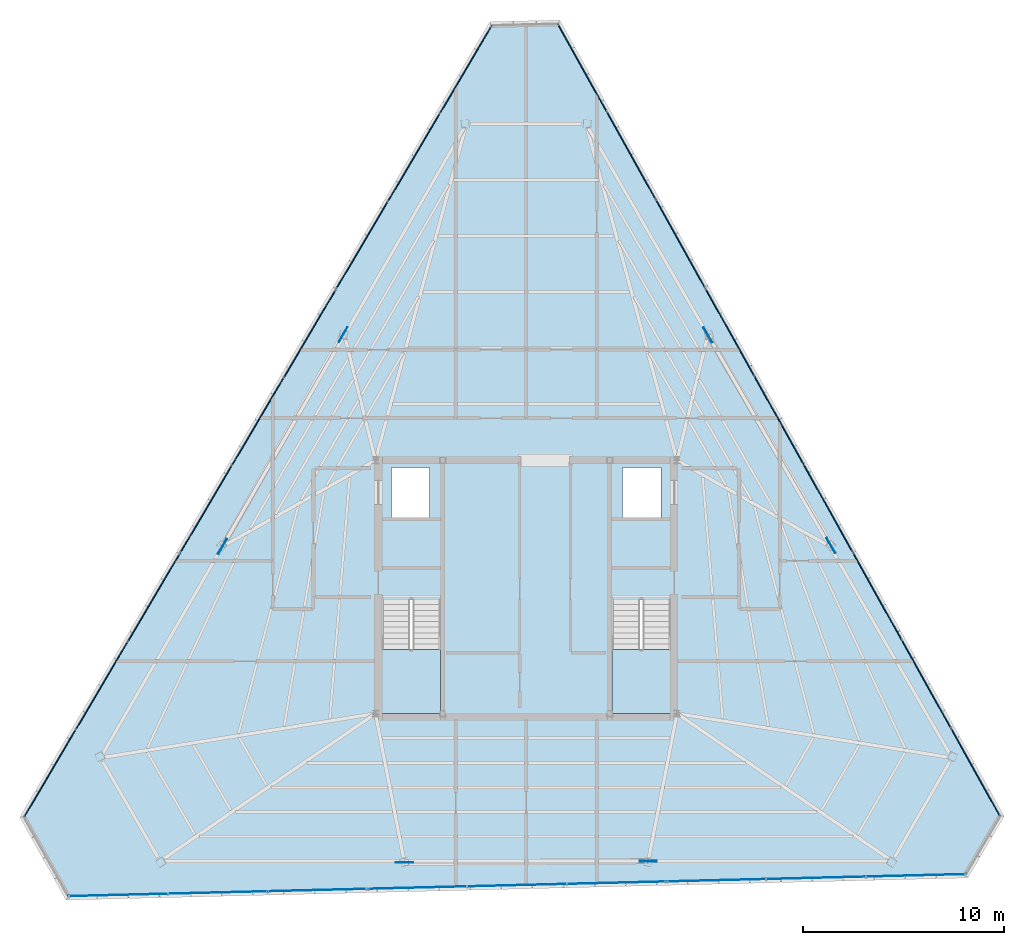
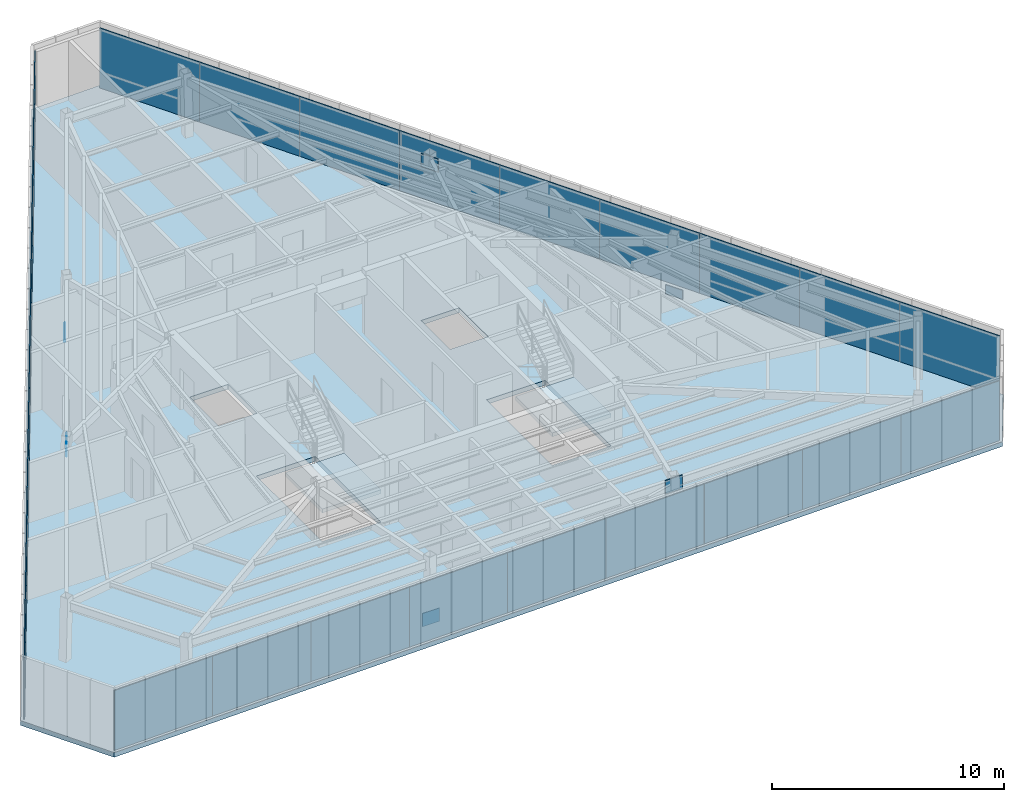
# One storey, part 38 of 44: 33 plates, 3 slabs, 11 elements without a shape of their own.
"""IFC4 building model written with IfcOpenShell, lengths in metres."""

from ifc_helpers import new_model, si_unit, direction, frame, origin, origin_2d, place, context, subcontext, project, spatial, polyline, rectangle, outline, extrude, source, transform, mapped, material, layer, layer_set, type_object, type_shapes, element, aggregate, save


model = new_model("IFC4")

# Units and contexts
model_context = context("Model", 3, precision=1e-05, world=origin(), true_north=direction((0.0, 1.0)))
body_context = subcontext(model_context, "Body", "Model", "MODEL_VIEW")
ifc_project = project(units=[si_unit("LENGTHUNIT", "METRE"), si_unit("AREAUNIT", "SQUARE_METRE"), si_unit("VOLUMEUNIT", "CUBIC_METRE"), si_unit("PLANEANGLEUNIT", "RADIAN"), si_unit("MASSUNIT", "GRAM", prefix="KILO")], contexts=[model_context])

# Site, building, storey
site_placement = place(None, origin())
site = spatial("IfcSite", under=ifc_project, at=site_placement, CompositionType="ELEMENT")
building_placement = place(site_placement, origin())
building = spatial("IfcBuilding", under=site, at=building_placement, Name="Caelisora Broadcast Tower", CompositionType="ELEMENT")
storey_placement = place(building_placement, frame((0.0, 0.0, 289.800048828125)))
storey = spatial("IfcBuildingStorey", under=building, at=storey_placement, Name="L76", CompositionType="ELEMENT", Elevation=289.800048828125)

# Slab
ifc_material_1 = material(Name="Concrete 45 MPa (AS 3600 S45)", Category="concrete")
ifc_layer_1 = layer(ifc_material_1, 0.25, Name="Concrete 45 MPa (AS 3600 S45)")
ifc_layer_set_1 = layer_set([ifc_layer_1], Name="Concrete 45 MPa (AS 3600 S45)")
slab_type_1 = type_object("IfcSlabType", Name="SL05", PredefinedType="FLOOR", material=ifc_layer_set_1)
slab_1_placement = place(storey_placement, frame((0.0, 0.0, -0.25)))
element("IfcSlab", 1, at=slab_1_placement, inside=storey, type_object=slab_type_1, Name="L76 suspended floor SL05", PredefinedType="FLOOR", context=body_context, shape_type="SweptSolid", body=[
    extrude(outline(polyline([(39.65087890625, 51.866943359375), (36.202880859375, 51.781982421875), (12.842041015625, 12.2490234375), (15.126953125, 8.155029296875), (59.947021484375, 9.25390625), (61.743896484375, 12.294921875), (39.65087890625, 51.866943359375)]), holes=[polyline([(30.820068359375, 17.39990234375), (33.739990234375, 17.39990234375), (33.739990234375, 23.080078125), (30.820068359375, 23.080078125), (30.820068359375, 17.39990234375)]), polyline([(42.260009765625, 17.39990234375), (45.179931640625, 17.39990234375), (45.179931640625, 23.080078125), (42.260009765625, 23.080078125), (42.260009765625, 17.39990234375)]), polyline([(42.800048828125, 27.14990234375), (44.699951171875, 27.14990234375), (44.699951171875, 29.64990234375), (42.800048828125, 29.64990234375), (42.800048828125, 27.14990234375)]), polyline([(31.300048828125, 27.14990234375), (33.199951171875, 27.14990234375), (33.199951171875, 29.64990234375), (31.300048828125, 29.64990234375), (31.300048828125, 27.14990234375)])]), origin(), (0.0, 0.0, 1.0), 0.25),
])

# Stair, slab
ifc_material_2 = material(Name="Concrete 40 MPa (AS 3600 N40)", Category="concrete")
stair_type_1 = type_object("IfcStairType", Name="ST-1", PredefinedType="HALF_TURN_STAIR", material=ifc_material_2)
stair_1_placement = place(storey_placement, origin())
stair_1 = element("IfcStair", 2, at=stair_1_placement, inside=storey, type_object=stair_type_1, Name="L76 West Fire-Isolated Tower Stair", PredefinedType="HALF_TURN_STAIR")
ifc_layer_2 = layer(ifc_material_2, 0.199951171875, Name="Concrete 40 MPa (AS 3600 N40)")
ifc_layer_set_2 = layer_set([ifc_layer_2], Name="Concrete 40 MPa (AS 3600 N40)")
slab_type_2 = type_object("IfcSlabType", Name="STL-1", PredefinedType="LANDING", material=ifc_layer_set_2)
slab_2_placement = place(storey_placement, frame((0.0, 0.0, 1.5)))
slab_2 = element("IfcSlab", 3, at=slab_2_placement, type_object=slab_type_2, Name="ST-1 landing 1", PredefinedType="LANDING", context=body_context, shape_type="SweptSolid", body=[
    extrude(outline(polyline([(30.820068359375, 20.580078125), (30.820068359375, 17.39990234375), (33.739990234375, 17.39990234375), (33.739990234375, 20.580078125), (30.820068359375, 20.580078125)])), origin(), (0.0, 0.0, 1.0), 0.199951171875),
])
aggregate(stair_1, [slab_2])

stair_type_2 = type_object("IfcStairType", Name="ST-2", PredefinedType="HALF_TURN_STAIR", material=ifc_material_2)
stair_2_placement = place(storey_placement, origin())
stair_2 = element("IfcStair", 4, at=stair_2_placement, inside=storey, type_object=stair_type_2, Name="L76 East Fire-Isolated Tower Stair", PredefinedType="HALF_TURN_STAIR")
slab_3_placement = place(storey_placement, frame((0.0, 0.0, 1.5)))
slab_3 = element("IfcSlab", 5, at=slab_3_placement, type_object=slab_type_2, Name="ST-2 landing 1", PredefinedType="LANDING", context=body_context, shape_type="SweptSolid", body=[
    extrude(outline(polyline([(42.260009765625, 20.580078125), (42.260009765625, 17.39990234375), (45.179931640625, 17.39990234375), (45.179931640625, 20.580078125), (42.260009765625, 20.580078125)])), origin(), (0.0, 0.0, 1.0), 0.199951171875),
])
aggregate(stair_2, [slab_3])

# Plates
ifc_material_3 = material(Name="Steel Grade 350 L15 (AS/NZS 3678)", Category="steel")
ifc_layer_3 = layer(ifc_material_3, 0.0400390625, Name="Steel Grade 350 L15 (AS/NZS 3678)")
ifc_layer_set_3 = layer_set([ifc_layer_3], Name="Steel Grade 350 L15 (AS/NZS 3678)")
plate_type_1 = type_object("IfcPlateType", Name="GP04", PredefinedType="USERDEFINED", material=ifc_layer_set_3)
shared_shape_1 = source(origin(), body_context, "Body", "SweptSolid", [
    extrude(rectangle(XDim=0.85009765625, YDim=0.0400390625, at=origin_2d()), origin(), (0.0, 0.0, 1.0), 0.699951171875),
])
type_shapes(plate_type_1, [shared_shape_1])
for number, where, z_axis, x_axis, name in (
    (6, (28.897216796875, 36.24658203125, -0.22998046875), (0.0, 0.0, 1.0), (-0.5, -0.866025403784, 0.0), "L76 gusset plate GP04 (ND-L76-C02B)"),
    (7, (22.893310546875, 25.712890625, 2.47998046875), (0.0, 0.0, 1.0), (-0.5, -0.866025403784, 0.0), "L76 gusset plate GP04 (ND-L76-C03T)"),
    (8, (31.9453125, 9.993408203125, -0.22998046875), (0.0, 0.0, 1.0), (1.0, 0.0, 0.0), "L76 gusset plate GP04 (ND-L76-C06B)"),
    (9, (44.06982421875, 10.060791015625, 2.47998046875), (0.0, 0.0, 1.0), (1.0, 0.0, 0.0), "L76 gusset plate GP04 (ND-L76-C07T)"),
    (10, (53.1572265625, 25.760009765625, -0.22998046875), (0.0, 0.0, 1.0), (-0.5, 0.866025403784, 0.0), "L76 gusset plate GP04 (ND-L76-C10B)"),
    (11, (47.036865234375, 36.226318359375, 2.47998046875), (0.0, 0.0, 1.0), (-0.5, 0.866025403784, 0.0), "L76 gusset plate GP04 (ND-L76-C11T)"),
):
    element("IfcPlate", number, at=place(storey_placement, frame(where, z_axis=z_axis, x_axis=x_axis)), inside=storey, type_object=plate_type_1, Name=name, ObjectType="GUSSET PLATE", PredefinedType="USERDEFINED", context=body_context, shape_type="MappedRepresentation", body=[
        mapped(shared_shape_1, transform((0.0, 0.0, 0.0), scale=1.0)),
    ])

# Curtain wall, plates
ifc_material_4 = material(Name="Unitised Aluminium Insulated Shadow-Box Spandrel Curtain Wall", Category="aluminium")
curtain_wall_type = type_object("IfcCurtainWallType", Name="CW-SP3", PredefinedType="NOTDEFINED", material=ifc_material_4)
curtain_wall_1_placement = place(storey_placement, origin())
curtain_wall_1 = element("IfcCurtainWall", 12, at=curtain_wall_1_placement, inside=storey, type_object=curtain_wall_type, Name="L76 curtain wall CW-SP3", PredefinedType="NOTDEFINED")
ifc_material_5 = material(Name="Insulated Terracotta Shadow-Box Spandrel Panel", Category="aluminium")
ifc_layer_4 = layer(ifc_material_5, 0.0439453125, Name="Insulated Terracotta Shadow-Box Spandrel Panel")
ifc_layer_set_4 = layer_set([ifc_layer_4], Name="Insulated Terracotta Shadow-Box Spandrel Panel")
plate_type_2 = type_object("IfcPlateType", Name="CWP-10", PredefinedType="CURTAIN_PANEL", material=ifc_layer_set_4)
shared_shape_2 = source(origin(), body_context, "Body", "SweptSolid", [
    extrude(rectangle(XDim=5.014404296875, YDim=0.0439453125, at=origin_2d()), origin(), (0.0, 0.0, 1.0), 3.14990234375),
])
plate_1_placement = place(storey_placement, frame((40.7861328125, 49.52587890625, 0.0), z_axis=(0.0, 0.0, 1.0), x_axis=(0.487402531354, -0.87317740032, 0.0)))
plate_1 = element("IfcPlate", 13, at=plate_1_placement, type_object=plate_type_2, Name="L76-CW-B01 spandrel panel #1", PredefinedType="CURTAIN_PANEL", context=body_context, shape_type="MappedRepresentation", body=[
    mapped(shared_shape_2, transform((0.0, 0.0, 0.0), scale=1.0)),
])
plate_2_placement = place(storey_placement, frame((43.230712890625, 45.1474609375, 0.0), z_axis=(0.0, 0.0, 1.0), x_axis=(0.487402531354, -0.87317740032, 0.0)))
plate_2 = element("IfcPlate", 14, at=plate_2_placement, type_object=plate_type_2, Name="L76-CW-B01 spandrel panel #2", PredefinedType="CURTAIN_PANEL", context=body_context, shape_type="MappedRepresentation", body=[
    mapped(shared_shape_2, transform((0.0, 0.0, 0.0), scale=1.0)),
])
plate_3_placement = place(storey_placement, frame((45.675048828125, 40.769287109375, 0.0), z_axis=(0.0, 0.0, 1.0), x_axis=(0.487402531354, -0.87317740032, 0.0)))
plate_3 = element("IfcPlate", 15, at=plate_3_placement, type_object=plate_type_2, Name="L76-CW-B01 spandrel panel #3", PredefinedType="CURTAIN_PANEL", context=body_context, shape_type="MappedRepresentation", body=[
    mapped(shared_shape_2, transform((0.0, 0.0, 0.0), scale=1.0)),
])
aggregate(curtain_wall_1, [plate_1, plate_2, plate_3])

curtain_wall_2_placement = place(storey_placement, origin())
curtain_wall_2 = element("IfcCurtainWall", 16, at=curtain_wall_2_placement, inside=storey, type_object=curtain_wall_type, Name="L76 curtain wall CW-SP3", PredefinedType="NOTDEFINED")
plate_4_placement = place(storey_placement, frame((55.4599609375, 23.242919921875, 0.0), z_axis=(0.0, 0.0, 1.0), x_axis=(0.487402531354, -0.87317740032, 0.0)))
plate_4 = element("IfcPlate", 17, at=plate_4_placement, type_object=plate_type_2, Name="L76-CW-B03 spandrel panel #1", PredefinedType="CURTAIN_PANEL", context=body_context, shape_type="MappedRepresentation", body=[
    mapped(shared_shape_2, transform((0.0, 0.0, 0.0), scale=1.0)),
])
plate_5_placement = place(storey_placement, frame((57.904296875, 18.864501953125, 0.0), z_axis=(0.0, 0.0, 1.0), x_axis=(0.487402531354, -0.87317740032, 0.0)))
plate_5 = element("IfcPlate", 18, at=plate_5_placement, type_object=plate_type_2, Name="L76-CW-B03 spandrel panel #2", PredefinedType="CURTAIN_PANEL", context=body_context, shape_type="MappedRepresentation", body=[
    mapped(shared_shape_2, transform((0.0, 0.0, 0.0), scale=1.0)),
])
plate_6_placement = place(storey_placement, frame((60.348876953125, 14.486083984375, 0.0), z_axis=(0.0, 0.0, 1.0), x_axis=(0.487402531354, -0.87317740032, 0.0)))
plate_6 = element("IfcPlate", 19, at=plate_6_placement, type_object=plate_type_2, Name="L76-CW-B03 spandrel panel #3", PredefinedType="CURTAIN_PANEL", context=body_context, shape_type="MappedRepresentation", body=[
    mapped(shared_shape_2, transform((0.0, 0.0, 0.0), scale=1.0)),
])
aggregate(curtain_wall_2, [plate_4, plate_5, plate_6])

curtain_wall_3_placement = place(storey_placement, origin())
curtain_wall_3 = element("IfcCurtainWall", 20, at=curtain_wall_3_placement, inside=storey, type_object=curtain_wall_type, Name="L76 curtain wall CW-SP3", PredefinedType="NOTDEFINED")
shared_shape_3 = source(origin(), body_context, "Body", "SweptSolid", [
    extrude(rectangle(XDim=5.0126953125, YDim=0.0439453125, at=origin_2d()), origin(), (0.0, 0.0, 1.0), 3.14990234375),
])
plate_7_placement = place(storey_placement, frame((48.123779296875, 36.3828125, 0.0), z_axis=(0.0, 0.0, 1.0), x_axis=(0.487402531354, -0.87317740032, 0.0)))
plate_7 = element("IfcPlate", 21, at=plate_7_placement, type_object=plate_type_2, Name="L76-CW-B02 spandrel panel #1", PredefinedType="CURTAIN_PANEL", context=body_context, shape_type="MappedRepresentation", body=[
    mapped(shared_shape_3, transform((0.0, 0.0, 0.0), scale=1.0)),
])
plate_8_placement = place(storey_placement, frame((50.5673828125, 32.006103515625, 0.0), z_axis=(0.0, 0.0, 1.0), x_axis=(0.487402531354, -0.87317740032, 0.0)))
plate_8 = element("IfcPlate", 22, at=plate_8_placement, type_object=plate_type_2, Name="L76-CW-B02 spandrel panel #2", PredefinedType="CURTAIN_PANEL", context=body_context, shape_type="MappedRepresentation", body=[
    mapped(shared_shape_3, transform((0.0, 0.0, 0.0), scale=1.0)),
])
plate_9_placement = place(storey_placement, frame((53.010986328125, 27.629150390625, 0.0), z_axis=(0.0, 0.0, 1.0), x_axis=(0.487402531354, -0.87317740032, 0.0)))
plate_9 = element("IfcPlate", 23, at=plate_9_placement, type_object=plate_type_2, Name="L76-CW-B02 spandrel panel #3", PredefinedType="CURTAIN_PANEL", context=body_context, shape_type="MappedRepresentation", body=[
    mapped(shared_shape_3, transform((0.0, 0.0, 0.0), scale=1.0)),
])
aggregate(curtain_wall_3, [plate_7, plate_8, plate_9])

curtain_wall_4_placement = place(storey_placement, origin())
curtain_wall_4 = element("IfcCurtainWall", 24, at=curtain_wall_4_placement, inside=storey, type_object=curtain_wall_type, Name="L76 curtain wall CW-SP3", PredefinedType="NOTDEFINED")
shared_shape_4 = source(origin(), body_context, "Body", "SweptSolid", [
    extrude(rectangle(XDim=4.96044921875, YDim=0.0439453125, at=origin_2d()), origin(), (0.0, 0.0, 1.0), 3.14990234375),
])
plate_10_placement = place(storey_placement, frame((57.380615234375, 9.34130859375, 0.0), z_axis=(0.0, 0.0, 1.0), x_axis=(-0.999701489781, -0.024432178153, 0.0)))
plate_10 = element("IfcPlate", 25, at=plate_10_placement, type_object=plate_type_2, Name="L76-CW-B05 spandrel panel #1", PredefinedType="CURTAIN_PANEL", context=body_context, shape_type="MappedRepresentation", body=[
    mapped(shared_shape_4, transform((0.0, 0.0, 0.0), scale=1.0)),
])
plate_11_placement = place(storey_placement, frame((52.42138671875, 9.219482421875, 0.0), z_axis=(0.0, 0.0, 1.0), x_axis=(-0.999701489781, -0.024432178153, 0.0)))
plate_11 = element("IfcPlate", 26, at=plate_11_placement, type_object=plate_type_2, Name="L76-CW-B05 spandrel panel #2", PredefinedType="CURTAIN_PANEL", context=body_context, shape_type="MappedRepresentation", body=[
    mapped(shared_shape_4, transform((0.0, 0.0, 0.0), scale=1.0)),
])
plate_12_placement = place(storey_placement, frame((47.46240234375, 9.097900390625, 0.0), z_axis=(0.0, 0.0, 1.0), x_axis=(-0.999701489781, -0.024432178153, 0.0)))
plate_12 = element("IfcPlate", 27, at=plate_12_placement, type_object=plate_type_2, Name="L76-CW-B05 spandrel panel #3", PredefinedType="CURTAIN_PANEL", context=body_context, shape_type="MappedRepresentation", body=[
    mapped(shared_shape_4, transform((0.0, 0.0, 0.0), scale=1.0)),
])
aggregate(curtain_wall_4, [plate_10, plate_11, plate_12])

curtain_wall_5_placement = place(storey_placement, origin())
curtain_wall_5 = element("IfcCurtainWall", 28, at=curtain_wall_5_placement, inside=storey, type_object=curtain_wall_type, Name="L76 curtain wall CW-SP3", PredefinedType="NOTDEFINED")
plate_13_placement = place(storey_placement, frame((27.611572265625, 8.611083984375, 0.0), z_axis=(0.0, 0.0, 1.0), x_axis=(-0.999701489781, -0.024432178153, 0.0)))
plate_13 = element("IfcPlate", 29, at=plate_13_placement, type_object=plate_type_2, Name="L76-CW-B07 spandrel panel #1", PredefinedType="CURTAIN_PANEL", context=body_context, shape_type="MappedRepresentation", body=[
    mapped(shared_shape_4, transform((0.0, 0.0, 0.0), scale=1.0)),
])
plate_14_placement = place(storey_placement, frame((22.652587890625, 8.489501953125, 0.0), z_axis=(0.0, 0.0, 1.0), x_axis=(-0.999701489781, -0.024432178153, 0.0)))
plate_14 = element("IfcPlate", 30, at=plate_14_placement, type_object=plate_type_2, Name="L76-CW-B07 spandrel panel #2", PredefinedType="CURTAIN_PANEL", context=body_context, shape_type="MappedRepresentation", body=[
    mapped(shared_shape_4, transform((0.0, 0.0, 0.0), scale=1.0)),
])
plate_15_placement = place(storey_placement, frame((17.693603515625, 8.367919921875, 0.0), z_axis=(0.0, 0.0, 1.0), x_axis=(-0.999701489781, -0.024432178153, 0.0)))
plate_15 = element("IfcPlate", 31, at=plate_15_placement, type_object=plate_type_2, Name="L76-CW-B07 spandrel panel #3", PredefinedType="CURTAIN_PANEL", context=body_context, shape_type="MappedRepresentation", body=[
    mapped(shared_shape_4, transform((0.0, 0.0, 0.0), scale=1.0)),
])
aggregate(curtain_wall_5, [plate_13, plate_14, plate_15])

curtain_wall_6_placement = place(storey_placement, origin())
curtain_wall_6 = element("IfcCurtainWall", 32, at=curtain_wall_6_placement, inside=storey, type_object=curtain_wall_type, Name="L76 curtain wall CW-SP3", PredefinedType="NOTDEFINED")
shared_shape_5 = source(origin(), body_context, "Body", "SweptSolid", [
    extrude(rectangle(XDim=4.958740234375, YDim=0.0439453125, at=origin_2d()), origin(), (0.0, 0.0, 1.0), 3.14990234375),
])
plate_16_placement = place(storey_placement, frame((42.494384765625, 8.97607421875, 0.0), z_axis=(0.0, 0.0, 1.0), x_axis=(-0.999701489781, -0.024432178153, 0.0)))
plate_16 = element("IfcPlate", 33, at=plate_16_placement, type_object=plate_type_2, Name="L76-CW-B06 spandrel panel #1", PredefinedType="CURTAIN_PANEL", context=body_context, shape_type="MappedRepresentation", body=[
    mapped(shared_shape_5, transform((0.0, 0.0, 0.0), scale=1.0)),
])
plate_17_placement = place(storey_placement, frame((37.537109375, 8.8544921875, 0.0), z_axis=(0.0, 0.0, 1.0), x_axis=(-0.999701489781, -0.024432178153, 0.0)))
plate_17 = element("IfcPlate", 34, at=plate_17_placement, type_object=plate_type_2, Name="L76-CW-B06 spandrel panel #2", PredefinedType="CURTAIN_PANEL", context=body_context, shape_type="MappedRepresentation", body=[
    mapped(shared_shape_5, transform((0.0, 0.0, 0.0), scale=1.0)),
])
plate_18_placement = place(storey_placement, frame((32.57958984375, 8.73291015625, 0.0), z_axis=(0.0, 0.0, 1.0), x_axis=(-0.999701489781, -0.024432178153, 0.0)))
plate_18 = element("IfcPlate", 35, at=plate_18_placement, type_object=plate_type_2, Name="L76-CW-B06 spandrel panel #3", PredefinedType="CURTAIN_PANEL", context=body_context, shape_type="MappedRepresentation", body=[
    mapped(shared_shape_5, transform((0.0, 0.0, 0.0), scale=1.0)),
])
aggregate(curtain_wall_6, [plate_16, plate_17, plate_18])

curtain_wall_7_placement = place(storey_placement, origin())
curtain_wall_7 = element("IfcCurtainWall", 36, at=curtain_wall_7_placement, inside=storey, type_object=curtain_wall_type, Name="L76 curtain wall CW-SP3", PredefinedType="NOTDEFINED")
shared_shape_6 = source(origin(), body_context, "Body", "SweptSolid", [
    extrude(rectangle(XDim=5.081787109375, YDim=0.0439453125, at=origin_2d()), origin(), (0.0, 0.0, 1.0), 3.14990234375),
])
plate_19_placement = place(storey_placement, frame((14.3076171875, 14.434326171875, 0.0), z_axis=(0.0, 0.0, 1.0), x_axis=(0.508740929096, 0.860919663536, 0.0)))
plate_19 = element("IfcPlate", 37, at=plate_19_placement, type_object=plate_type_2, Name="L76-CW-B09 spandrel panel #1", PredefinedType="CURTAIN_PANEL", context=body_context, shape_type="MappedRepresentation", body=[
    mapped(shared_shape_6, transform((0.0, 0.0, 0.0), scale=1.0)),
])
plate_20_placement = place(storey_placement, frame((16.892822265625, 18.809326171875, 0.0), z_axis=(0.0, 0.0, 1.0), x_axis=(0.508740929096, 0.860919663536, 0.0)))
plate_20 = element("IfcPlate", 38, at=plate_20_placement, type_object=plate_type_2, Name="L76-CW-B09 spandrel panel #2", PredefinedType="CURTAIN_PANEL", context=body_context, shape_type="MappedRepresentation", body=[
    mapped(shared_shape_6, transform((0.0, 0.0, 0.0), scale=1.0)),
])
plate_21_placement = place(storey_placement, frame((19.478271484375, 23.18408203125, 0.0), z_axis=(0.0, 0.0, 1.0), x_axis=(0.508740929096, 0.860919663536, 0.0)))
plate_21 = element("IfcPlate", 39, at=plate_21_placement, type_object=plate_type_2, Name="L76-CW-B09 spandrel panel #3", PredefinedType="CURTAIN_PANEL", context=body_context, shape_type="MappedRepresentation", body=[
    mapped(shared_shape_6, transform((0.0, 0.0, 0.0), scale=1.0)),
])
aggregate(curtain_wall_7, [plate_19, plate_20, plate_21])

curtain_wall_8_placement = place(storey_placement, origin())
curtain_wall_8 = element("IfcCurtainWall", 40, at=curtain_wall_8_placement, inside=storey, type_object=curtain_wall_type, Name="L76 curtain wall CW-SP3", PredefinedType="NOTDEFINED")
plate_22_placement = place(storey_placement, frame((29.826904296875, 40.69677734375, 0.0), z_axis=(0.0, 0.0, 1.0), x_axis=(0.508740929096, 0.860919663536, 0.0)))
plate_22 = element("IfcPlate", 41, at=plate_22_placement, type_object=plate_type_2, Name="L76-CW-B11 spandrel panel #1", PredefinedType="CURTAIN_PANEL", context=body_context, shape_type="MappedRepresentation", body=[
    mapped(shared_shape_6, transform((0.0, 0.0, 0.0), scale=1.0)),
])
plate_23_placement = place(storey_placement, frame((32.412109375, 45.07177734375, 0.0), z_axis=(0.0, 0.0, 1.0), x_axis=(0.508740929096, 0.860919663536, 0.0)))
plate_23 = element("IfcPlate", 42, at=plate_23_placement, type_object=plate_type_2, Name="L76-CW-B11 spandrel panel #2", PredefinedType="CURTAIN_PANEL", context=body_context, shape_type="MappedRepresentation", body=[
    mapped(shared_shape_6, transform((0.0, 0.0, 0.0), scale=1.0)),
])
plate_24_placement = place(storey_placement, frame((34.997314453125, 49.446533203125, 0.0), z_axis=(0.0, 0.0, 1.0), x_axis=(0.508740929096, 0.860919663536, 0.0)))
plate_24 = element("IfcPlate", 43, at=plate_24_placement, type_object=plate_type_2, Name="L76-CW-B11 spandrel panel #3", PredefinedType="CURTAIN_PANEL", context=body_context, shape_type="MappedRepresentation", body=[
    mapped(shared_shape_6, transform((0.0, 0.0, 0.0), scale=1.0)),
])
aggregate(curtain_wall_8, [plate_22, plate_23, plate_24])

curtain_wall_9_placement = place(storey_placement, origin())
curtain_wall_9 = element("IfcCurtainWall", 44, at=curtain_wall_9_placement, inside=storey, type_object=curtain_wall_type, Name="L76 curtain wall CW-SP3", PredefinedType="NOTDEFINED")
shared_shape_7 = source(origin(), body_context, "Body", "SweptSolid", [
    extrude(rectangle(XDim=5.080078125, YDim=0.0439453125, at=origin_2d()), origin(), (0.0, 0.0, 1.0), 3.14990234375),
])
type_shapes(plate_type_2, [shared_shape_2, shared_shape_3, shared_shape_4, shared_shape_5, shared_shape_6, shared_shape_7])
plate_25_placement = place(storey_placement, frame((22.068115234375, 27.56689453125, 0.0), z_axis=(0.0, 0.0, 1.0), x_axis=(0.508740929096, 0.860919663536, 0.0)))
plate_25 = element("IfcPlate", 45, at=plate_25_placement, type_object=plate_type_2, Name="L76-CW-B10 spandrel panel #1", PredefinedType="CURTAIN_PANEL", context=body_context, shape_type="MappedRepresentation", body=[
    mapped(shared_shape_7, transform((0.0, 0.0, 0.0), scale=1.0)),
])
plate_26_placement = place(storey_placement, frame((24.652587890625, 31.9404296875, 0.0), z_axis=(0.0, 0.0, 1.0), x_axis=(0.508740929096, 0.860919663536, 0.0)))
plate_26 = element("IfcPlate", 46, at=plate_26_placement, type_object=plate_type_2, Name="L76-CW-B10 spandrel panel #2", PredefinedType="CURTAIN_PANEL", context=body_context, shape_type="MappedRepresentation", body=[
    mapped(shared_shape_7, transform((0.0, 0.0, 0.0), scale=1.0)),
])
plate_27_placement = place(storey_placement, frame((27.23681640625, 36.31396484375, 0.0), z_axis=(0.0, 0.0, 1.0), x_axis=(0.508740929096, 0.860919663536, 0.0)))
plate_27 = element("IfcPlate", 47, at=plate_27_placement, type_object=plate_type_2, Name="L76-CW-B10 spandrel panel #3", PredefinedType="CURTAIN_PANEL", context=body_context, shape_type="MappedRepresentation", body=[
    mapped(shared_shape_7, transform((0.0, 0.0, 0.0), scale=1.0)),
])
aggregate(curtain_wall_9, [plate_25, plate_26, plate_27])

save(model, "model.ifc")
